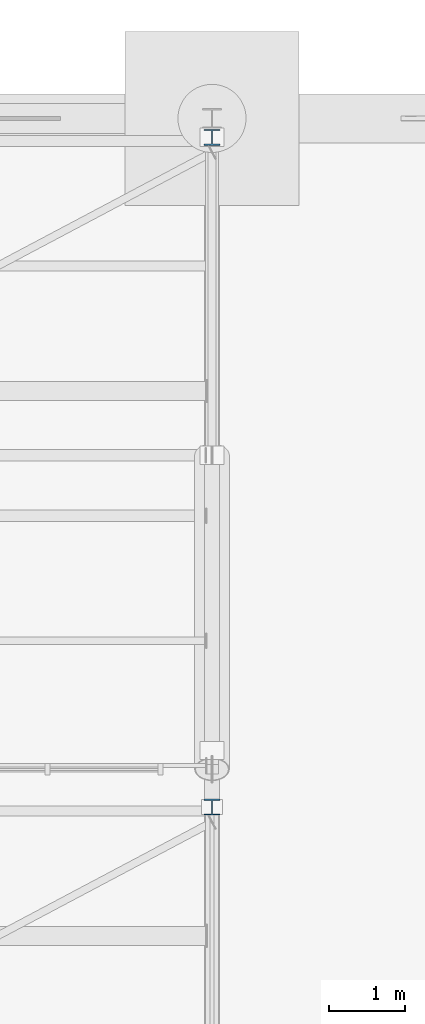
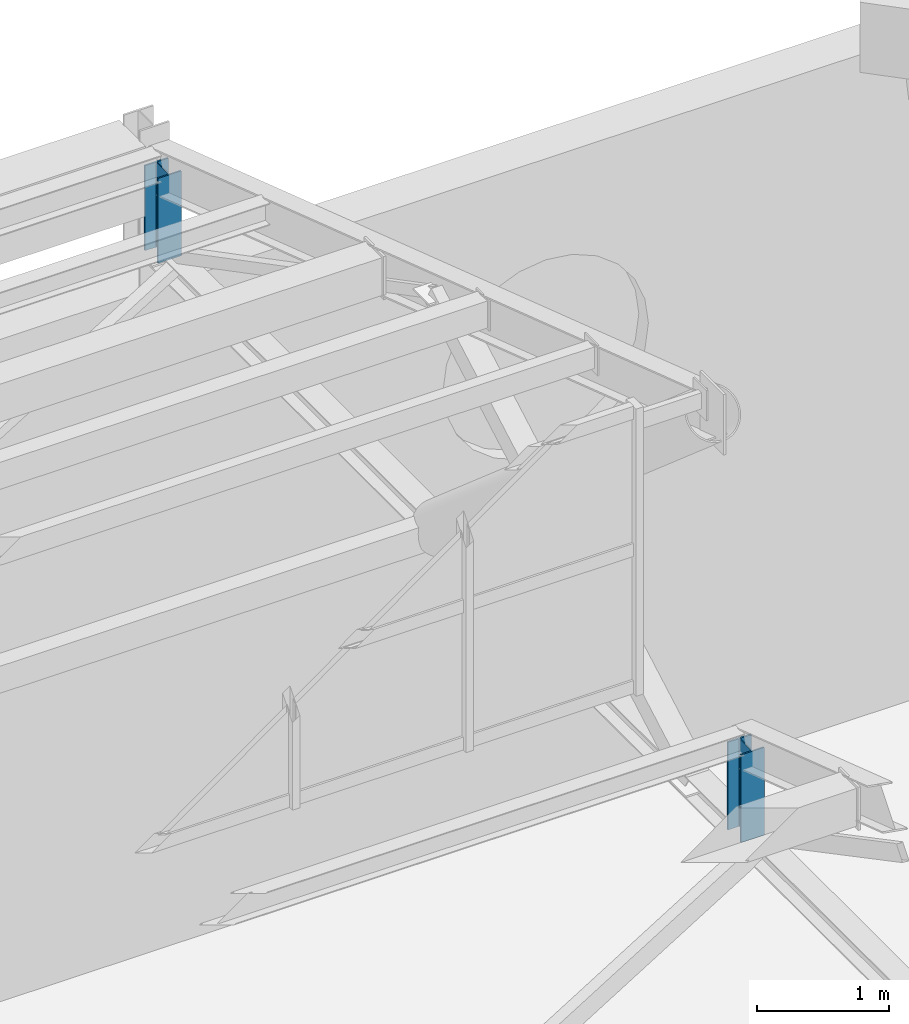
# One storey, part 161 of 285: 2 members.
"""IFC4 building model written with IfcOpenShell, lengths in metres."""

from ifc_helpers import new_model, si_unit, direction, frame, origin, origin_2d, place, context, subcontext, project, spatial, i_section, extrude, material, material_profile, profile_set, type_object, element, save


model = new_model("IFC4")

# Units and contexts
model_context = context("Model", 3, precision=1e-05, world=origin(), true_north=direction((0.0, 1.0)))
body_context = subcontext(model_context, "Body", "Model", "MODEL_VIEW")
ifc_project = project(units=[si_unit("LENGTHUNIT", "METRE"), si_unit("AREAUNIT", "SQUARE_METRE"), si_unit("VOLUMEUNIT", "CUBIC_METRE"), si_unit("PLANEANGLEUNIT", "RADIAN"), si_unit("MASSUNIT", "GRAM", prefix="KILO")], contexts=[model_context])

# Site, building, storey
site_placement = place(None, origin())
site = spatial("IfcSite", under=ifc_project, at=site_placement, CompositionType="ELEMENT")
building_placement = place(site_placement, origin())
building = spatial("IfcBuilding", under=site, at=building_placement, Name="Solanera Park Tramway Depot", CompositionType="ELEMENT")
storey_placement = place(building_placement, origin())
storey = spatial("IfcBuildingStorey", under=building, at=storey_placement, Name="L00", CompositionType="ELEMENT", Elevation=0.0)

# Members
ifc_material = material(Name="Steel AS/NZS 3679.1 Grade 350", Category="steel")
ifc_material_profile = material_profile(ifc_material, i_section(OverallWidth=0.205078125, OverallDepth=0.209716796875, WebThickness=0.00927734375, FlangeThickness=0.01416015625, at=origin_2d()), Name="200UC59.5")
ifc_profile_set = profile_set([ifc_material_profile], Name="Steel AS/NZS 3679.1 Grade 350")
member_type = type_object("IfcMemberType", Name="Roof Gantry Compression Strut 200UC59.5", PredefinedType="STRUT", material=ifc_profile_set)
member_1_placement = place(storey_placement, frame((135.0, 134.89990234375, 6.5), z_axis=(0.0, 0.0, 1.0), x_axis=(1.0, 0.0, 0.0)))
element("IfcMember", 1, at=member_1_placement, inside=storey, type_object=member_type, Name="Sawtooth ROOF TRUSS Valley Post 200UC59.5 #0092", PredefinedType="STRUT", context=body_context, shape_type="SweptSolid", body=[
    extrude(i_section(OverallWidth=0.205078125, OverallDepth=0.209716796875, WebThickness=0.00927734375, FlangeThickness=0.01416015625, at=origin_2d()), origin(), (0.0, 0.0, 1.0), 0.81298828125),
])
member_2_placement = place(storey_placement, frame((135.0, 143.75, 6.5), z_axis=(0.0, 0.0, 1.0), x_axis=(1.0, 0.0, 0.0)))
element("IfcMember", 2, at=member_2_placement, inside=storey, type_object=member_type, Name="Sawtooth ROOF TRUSS Valley Post 200UC59.5 #0100", PredefinedType="STRUT", context=body_context, shape_type="SweptSolid", body=[
    extrude(i_section(OverallWidth=0.205078125, OverallDepth=0.209716796875, WebThickness=0.00927734375, FlangeThickness=0.01416015625, at=origin_2d()), origin(), (0.0, 0.0, 1.0), 0.78759765625),
])

save(model, "model.ifc")
